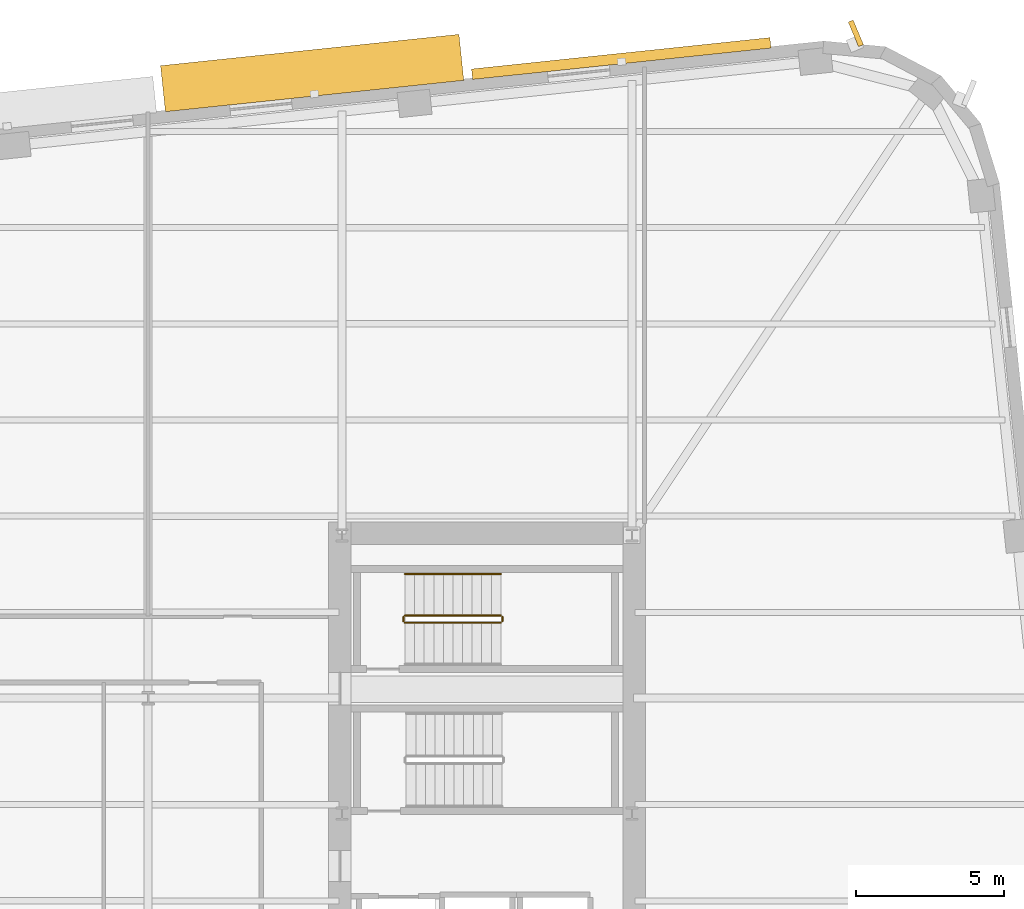
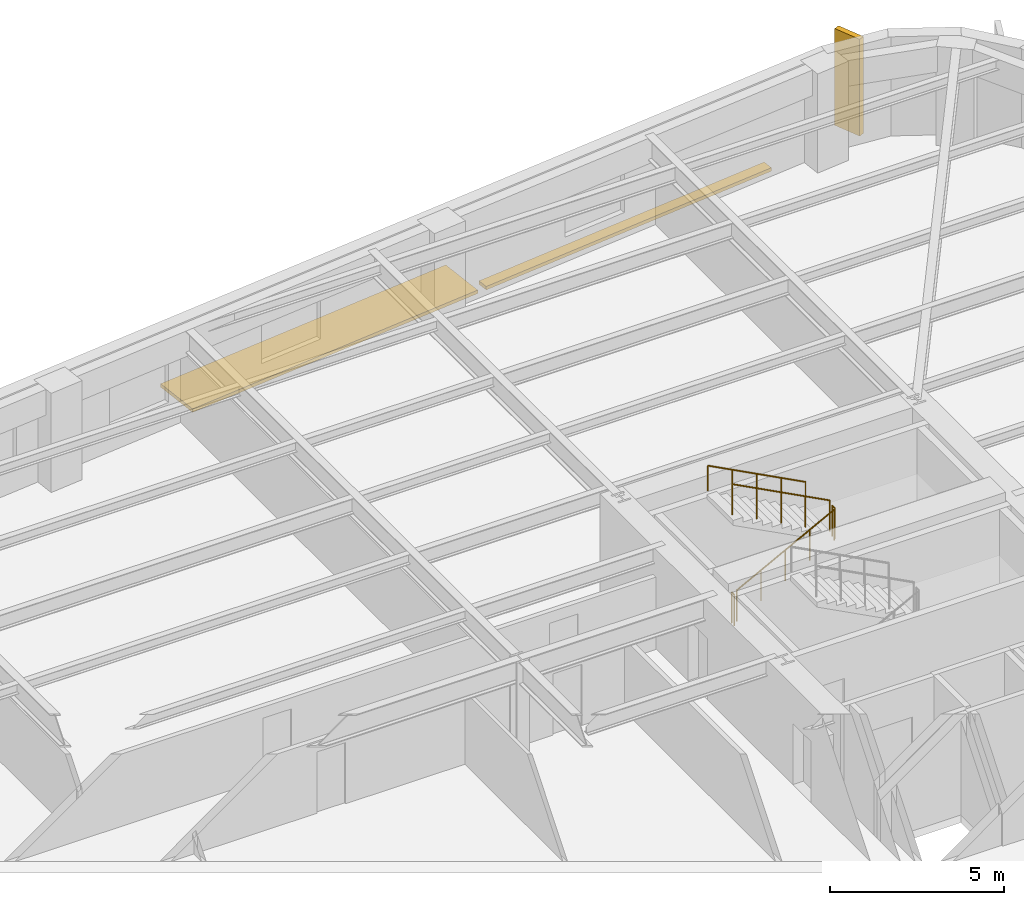
# One storey, part 13 of 14: 5 railings, 3 shading devices.
"""IFC4 building model written with IfcOpenShell, lengths in metres."""

from ifc_helpers import new_model, si_unit, direction, frame, origin, origin_2d, place, context, subcontext, project, spatial, rectangle, circle, extrude, material, type_object, element, save


model = new_model("IFC4")

# Units and contexts
model_context = context("Model", 3, precision=1e-05, world=origin(), true_north=direction((0.0, 1.0)))
body_context = subcontext(model_context, "Body", "Model", "MODEL_VIEW")
ifc_project = project(units=[si_unit("LENGTHUNIT", "METRE"), si_unit("AREAUNIT", "SQUARE_METRE"), si_unit("VOLUMEUNIT", "CUBIC_METRE"), si_unit("PLANEANGLEUNIT", "RADIAN"), si_unit("MASSUNIT", "GRAM", prefix="KILO")], contexts=[model_context])

# Site, building, storey
site_placement = place(None, origin())
site = spatial("IfcSite", under=ifc_project, at=site_placement, CompositionType="ELEMENT")
building_placement = place(site_placement, origin())
building = spatial("IfcBuilding", under=site, at=building_placement, Name="Kolvaren Arena Tower", CompositionType="ELEMENT")
storey_placement = place(building_placement, frame((0.0, 0.0, 130.75)))
storey = spatial("IfcBuildingStorey", under=building, at=storey_placement, Name="L30", CompositionType="ELEMENT", Elevation=130.75)

# Railings
ifc_material_1 = material(Name="Painted galvanized steel", Category="steel")
railing_type_1 = type_object("IfcRailingType", Name="GUARD-ST-110", PredefinedType="GUARDRAIL", material=ifc_material_1)
railing_1_placement = place(storey_placement, frame((52.679931640625, 36.39990234375, 0.17041015625)))
element("IfcRailing", 1, at=railing_1_placement, inside=storey, type_object=railing_type_1, Name="L30 ST-E2 stair guard 1", PredefinedType="GUARDRAIL", context=body_context, shape_type="SweptSolid", body=[
    extrude(circle(Radius=0.02392578125, at=origin_2d()), frame((0.0, 0.0, 1.076171875), z_axis=(0.884993431791, 0.0, 0.465603506952), x_axis=(0.0, 1.0, 0.0)), (0.0, 0.0, 1.0), 3.6611328125),
    extrude(circle(Radius=0.02099609375, at=origin_2d()), origin(), (0.0, 0.0, 1.0), 1.052001953125),
    extrude(circle(Radius=0.02099609375, at=origin_2d()), frame((0.81005859375, 0.0, 0.42626953125)), (0.0, 0.0, 1.0), 1.052001953125),
    extrude(circle(Radius=0.02099609375, at=origin_2d()), frame((1.6201171875, 0.0, 0.852294921875)), (0.0, 0.0, 1.0), 1.052001953125),
    extrude(circle(Radius=0.02099609375, at=origin_2d()), frame((2.429931640625, 0.0, 1.2783203125)), (0.0, 0.0, 1.0), 1.052001953125),
    extrude(circle(Radius=0.02099609375, at=origin_2d()), frame((3.239990234375, 0.0, 1.70458984375)), (0.0, 0.0, 1.0), 1.052001953125),
])
railing_2_placement = place(storey_placement, frame((55.969970703125, 36.449951171875, 1.875)))
element("IfcRailing", 2, at=railing_2_placement, inside=storey, type_object=railing_type_1, Name="L30 ST-E2 stair guard 2", PredefinedType="GUARDRAIL", context=body_context, shape_type="SweptSolid", body=[
    extrude(circle(Radius=0.02392578125, at=origin_2d()), frame((0.0, 0.0, 1.076171875), z_axis=(0.0, 1.0, 0.0), x_axis=(-1.0, 0.0, 0.0)), (0.0, 0.0, 1.0), 0.150146484375),
    extrude(circle(Radius=0.02099609375, at=origin_2d()), origin(), (0.0, 0.0, 1.0), 1.052001953125),
    extrude(circle(Radius=0.02099609375, at=origin_2d()), frame((0.0, 0.150146484375, 0.0)), (0.0, 0.0, 1.0), 1.052001953125),
])
railing_3_placement = place(storey_placement, frame((55.919921875, 36.64990234375, 2.04541015625)))
element("IfcRailing", 3, at=railing_3_placement, inside=storey, type_object=railing_type_1, Name="L30 ST-E2 stair guard 3", PredefinedType="GUARDRAIL", context=body_context, shape_type="SweptSolid", body=[
    extrude(circle(Radius=0.02392578125, at=origin_2d()), frame((0.0, 0.0, 1.076171875), z_axis=(-0.884993431791, 0.0, 0.465603506952), x_axis=(0.0, -1.0, 0.0)), (0.0, 0.0, 1.0), 3.6611328125),
    extrude(circle(Radius=0.02099609375, at=origin_2d()), origin(), (0.0, 0.0, 1.0), 1.052001953125),
    extrude(circle(Radius=0.02099609375, at=origin_2d()), frame((-0.81005859375, 0.0, 0.42626953125)), (0.0, 0.0, 1.0), 1.052001953125),
    extrude(circle(Radius=0.02099609375, at=origin_2d()), frame((-1.6201171875, 0.0, 0.852294921875)), (0.0, 0.0, 1.0), 1.052001953125),
    extrude(circle(Radius=0.02099609375, at=origin_2d()), frame((-2.429931640625, 0.0, 1.2783203125)), (0.0, 0.0, 1.0), 1.052001953125),
    extrude(circle(Radius=0.02099609375, at=origin_2d()), frame((-3.239990234375, 0.0, 1.70458984375)), (0.0, 0.0, 1.0), 1.052001953125),
])
railing_4_placement = place(storey_placement, frame((52.6298828125, 36.449951171875, 0.0)))
element("IfcRailing", 4, at=railing_4_placement, inside=storey, type_object=railing_type_1, Name="L30 ST-E2 stair guard 4", PredefinedType="GUARDRAIL", context=body_context, shape_type="SweptSolid", body=[
    extrude(circle(Radius=0.02392578125, at=origin_2d()), frame((0.0, 0.0, 1.076171875), z_axis=(0.0, 1.0, 0.0), x_axis=(-1.0, 0.0, 0.0)), (0.0, 0.0, 1.0), 0.150146484375),
    extrude(circle(Radius=0.02099609375, at=origin_2d()), origin(), (0.0, 0.0, 1.0), 1.052001953125),
    extrude(circle(Radius=0.02099609375, at=origin_2d()), frame((0.0, 0.150146484375, 0.0)), (0.0, 0.0, 1.0), 1.052001953125),
])
ifc_material_2 = material(Name="Brushed stainless steel handrail", Category="steel")
railing_type_2 = type_object("IfcRailingType", Name="HRAIL-900", PredefinedType="HANDRAIL", material=ifc_material_2)
railing_5_placement = place(storey_placement, frame((55.919921875, 38.050048828125, 2.04541015625)))
element("IfcRailing", 5, at=railing_5_placement, inside=storey, type_object=railing_type_2, Name="L30 ST-E2 stair handrail 2", PredefinedType="HANDRAIL", context=body_context, shape_type="SweptSolid", body=[
    extrude(circle(Radius=0.02392578125, at=origin_2d()), frame((0.0, 0.0, 0.8759765625), z_axis=(-0.884993431791, 0.0, 0.465603506952), x_axis=(0.0, -1.0, 0.0)), (0.0, 0.0, 1.0), 3.6611328125),
    extrude(circle(Radius=0.02099609375, at=origin_2d()), origin(), (0.0, 0.0, 1.0), 0.851806640625),
    extrude(circle(Radius=0.02099609375, at=origin_2d()), frame((-0.81005859375, 0.0, 0.42626953125)), (0.0, 0.0, 1.0), 0.851806640625),
    extrude(circle(Radius=0.02099609375, at=origin_2d()), frame((-1.6201171875, 0.0, 0.852294921875)), (0.0, 0.0, 1.0), 0.851806640625),
    extrude(circle(Radius=0.02099609375, at=origin_2d()), frame((-2.429931640625, 0.0, 1.2783203125)), (0.0, 0.0, 1.0), 0.851806640625),
    extrude(circle(Radius=0.02099609375, at=origin_2d()), frame((-3.239990234375, 0.0, 1.70458984375)), (0.0, 0.0, 1.0), 0.851806640625),
])

# Shading devices
ifc_material_3 = material(Name="Precast architectural concrete C50/60 rib fin", Category="concrete")
shading_device_type_1 = type_object("IfcShadingDeviceType", Name="SHAD-FIN-28", PredefinedType="USERDEFINED", material=ifc_material_3)
shading_device_1_placement = place(storey_placement, frame((67.916259765625, 56.320556640625, 0.02001953125), z_axis=(0.0, 0.0, 1.0), x_axis=(-0.386706132999, 0.922202996472, 0.0)))
element("IfcShadingDevice", 6, at=shading_device_1_placement, inside=storey, type_object=shading_device_type_1, Name="Precast 28-Deg Corner Rib Fin (L30)", ObjectType="FIN", PredefinedType="USERDEFINED", context=body_context, shape_type="SweptSolid", body=[
    extrude(rectangle(XDim=0.89990234375, YDim=0.179931640625, at=origin_2d()), origin(), (0.0, 0.0, 1.0), 3.39990234375),
])
ifc_material_4 = material(Name="Architectural precast GFRC and anodised aluminium sunshade", Category="concrete")
shading_device_type_2 = type_object("IfcShadingDeviceType", Name="SHAD-SINE-A", PredefinedType="USERDEFINED", material=ifc_material_4)
shading_device_2_placement = place(storey_placement, frame((59.988525390625, 55.467529296875, -0.14013671875), z_axis=(0.0, 0.0, 1.0), x_axis=(0.994522077803, 0.104526727499, 0.0)))
element("IfcShadingDevice", 7, at=shading_device_2_placement, inside=storey, type_object=shading_device_type_2, Name="Sinusoidal Slab-Edge Sunshade Louvre (L30)", ObjectType="LOUVRE", PredefinedType="USERDEFINED", context=body_context, shape_type="SweptSolid", body=[
    extrude(rectangle(XDim=10.139892578125, YDim=0.356201171875, at=origin_2d()), origin(), (0.0, 0.0, 1.0), 0.1201171875),
])
shading_device_type_3 = type_object("IfcShadingDeviceType", Name="SHAD-SINE-B", PredefinedType="JALOUSIE", material=ifc_material_4)
shading_device_3_placement = place(storey_placement, frame((49.54248046875, 54.9775390625, -0.14013671875), z_axis=(0.0, 0.0, 1.0), x_axis=(0.994522077803, 0.104526727499, 0.0)))
element("IfcShadingDevice", 8, at=shading_device_3_placement, inside=storey, type_object=shading_device_type_3, Name="Sinusoidal Slab-Edge Sunshade Louvre (L30)", PredefinedType="JALOUSIE", context=body_context, shape_type="SweptSolid", body=[
    extrude(rectangle(XDim=10.139892578125, YDim=1.56494140625, at=origin_2d()), origin(), (0.0, 0.0, 1.0), 0.1201171875),
])

save(model, "model.ifc")
